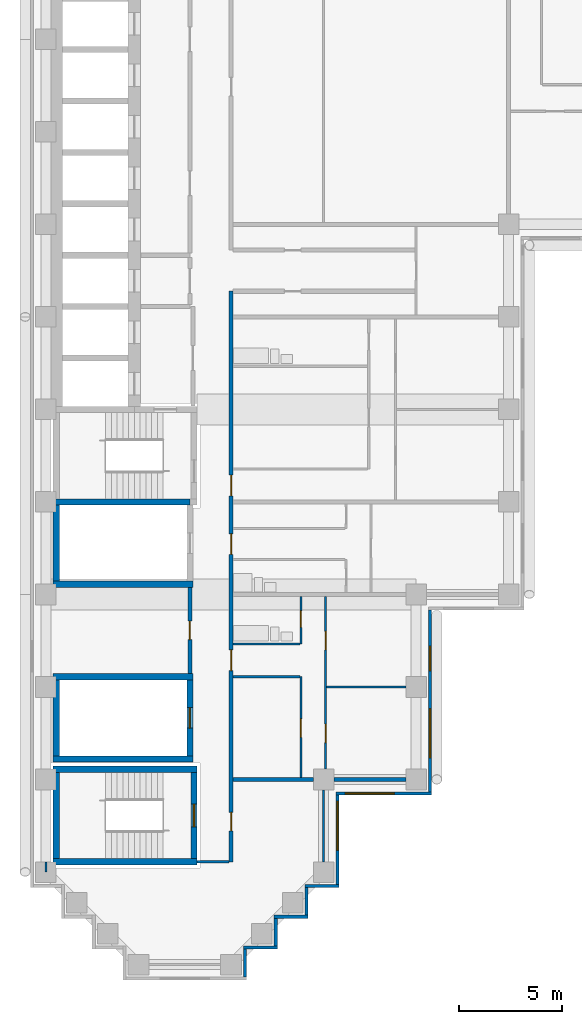
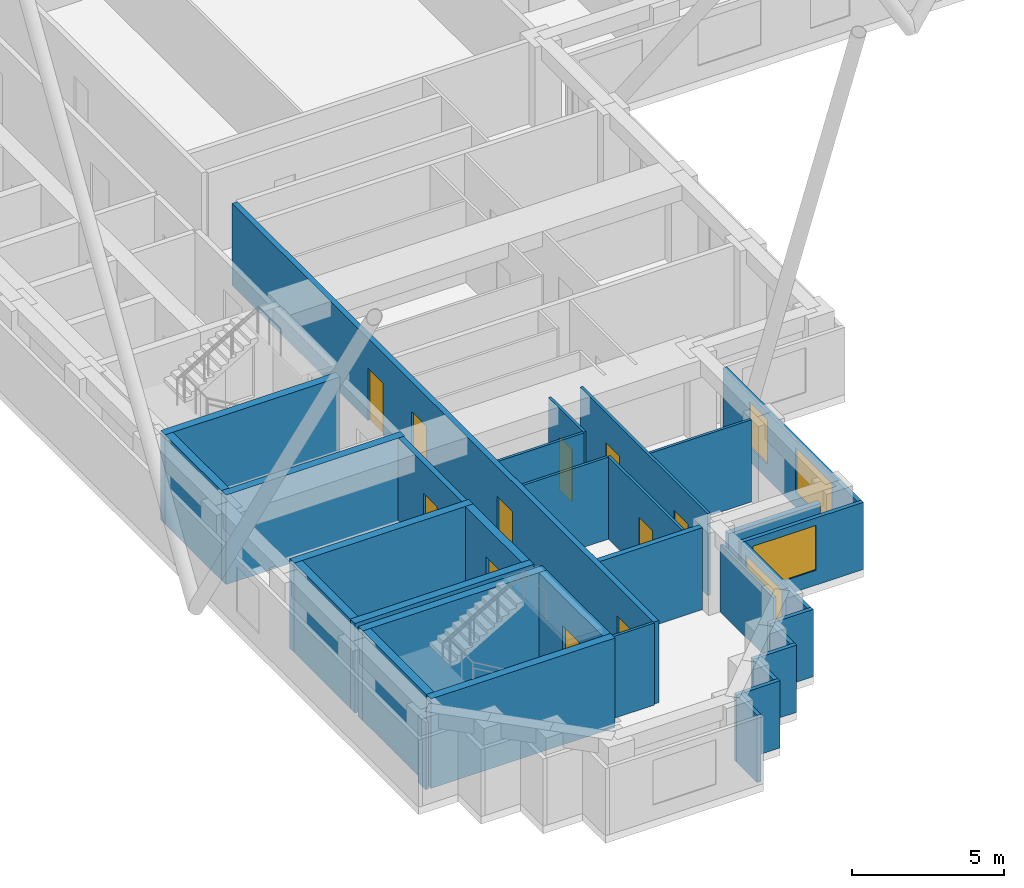
# One storey, part 3 of 13: 33 walls, 11 doors, 4 windows, 15 openings.
"""IFC4 building model written with IfcOpenShell, lengths in metres."""

from ifc_helpers import new_model, si_unit, direction, frame, frame_2d, origin, place, context, subcontext, project, spatial, rectangle, extrude, material, layer, layer_set, type_object, element, fill, save


model = new_model("IFC4")

# Units and contexts
model_context = context("Model", 3, precision=1e-05, world=origin(), true_north=direction((0.0, 1.0)))
body_context = subcontext(model_context, "Body", "Model", "MODEL_VIEW")
ifc_project = project(units=[si_unit("LENGTHUNIT", "METRE"), si_unit("AREAUNIT", "SQUARE_METRE"), si_unit("VOLUMEUNIT", "CUBIC_METRE"), si_unit("PLANEANGLEUNIT", "RADIAN"), si_unit("MASSUNIT", "GRAM", prefix="KILO")], contexts=[model_context])

# Site, building, storey
site_placement = place(None, origin())
site = spatial("IfcSite", under=ifc_project, at=site_placement, CompositionType="ELEMENT")
building_placement = place(site_placement, origin())
building = spatial("IfcBuilding", under=site, at=building_placement, Name="Firuza Court", CompositionType="ELEMENT")
storey_placement = place(building_placement, frame((0.0, 0.0, 119.60009765625)))
storey = spatial("IfcBuildingStorey", under=building, at=storey_placement, Name="L29", CompositionType="ELEMENT", Elevation=119.60009765625)

# Walls
ifc_material_1 = material(Name="Moisture-resistant gypsum board partition")
ifc_layer_1 = layer(ifc_material_1, 0.10009765625)
ifc_layer_set_1 = layer_set([ifc_layer_1], Name="Moisture-resistant gypsum board partition")
wall_type_1 = type_object("IfcWallType", Name="Bathroom partition 100", PredefinedType="PLUMBINGWALL", material=ifc_layer_set_1)
wall_1_placement = place(storey_placement, frame((9.10009765625, 15.60009765625, 0.0), z_axis=(0.0, 0.0, 1.0), x_axis=(1.0, 0.0, 0.0)))
element("IfcWall", 1, at=wall_1_placement, inside=storey, type_object=wall_type_1, Name="Bathroom partition 100 L29", PredefinedType="PLUMBINGWALL", context=body_context, shape_type="SweptSolid", body=[
    extrude(rectangle(XDim=3.25, YDim=0.10009765625, at=frame_2d((1.625, 0.0))), origin(), (0.0, 0.0, 1.0), 3.2998046875),
])
ifc_material_2 = material(Name="Concrete C60/75", Category="concrete")
ifc_layer_2 = layer(ifc_material_2, 0.300048828125)
ifc_layer_set_2 = layer_set([ifc_layer_2], Name="Concrete C60/75")
wall_type_2 = type_object("IfcWallType", Name="Core wall 300 C60/75", PredefinedType="SHEAR", material=ifc_layer_set_2)
for number, where, z_axis, x_axis, name in (
    (2, (0.35009765625, 5.0, -0.300048828125), (0.0, 0.0, 1.0), (1.0, 0.0, 0.0), "Core wall stair L29"),
    (3, (0.35009765625, 9.5, -0.300048828125), (0.0, 0.0, 1.0), (1.0, 0.0, 0.0), "Core wall stair L29"),
):
    element("IfcWall", number, at=place(storey_placement, frame(where, z_axis=z_axis, x_axis=x_axis)), inside=storey, type_object=wall_type_2, Name=name, PredefinedType="SHEAR", context=body_context, shape_type="SweptSolid", body=[
        extrude(rectangle(XDim=7.0, YDim=0.300048828125, at=frame_2d((3.5, 0.0))), origin(), (0.0, 0.0, 1.0), 3.599853515625),
    ])
for number, where, z_axis, x_axis, name in (
    (4, (0.35009765625, 10.0, -0.300048828125), (0.0, 0.0, 1.0), (1.0, 0.0, 0.0), "Core wall riser L29"),
    (5, (0.35009765625, 14.0, -0.300048828125), (0.0, 0.0, 1.0), (1.0, 0.0, 0.0), "Core wall riser L29"),
    (6, (0.35009765625, 18.5, -0.300048828125), (0.0, 0.0, 1.0), (1.0, 0.0, 0.0), "Core wall riser L29"),
):
    element("IfcWall", number, at=place(storey_placement, frame(where, z_axis=z_axis, x_axis=x_axis)), inside=storey, type_object=wall_type_2, Name=name, PredefinedType="SHEAR", context=body_context, shape_type="SweptSolid", body=[
        extrude(rectangle(XDim=6.7998046875, YDim=0.300048828125, at=frame_2d((3.39990234375, 0.0))), origin(), (0.0, 0.0, 1.0), 3.599853515625),
    ])
wall_2_placement = place(storey_placement, frame((0.35009765625, 22.5, -0.300048828125), z_axis=(0.0, 0.0, 1.0), x_axis=(1.0, 0.0, 0.0)))
element("IfcWall", 7, at=wall_2_placement, inside=storey, type_object=wall_type_2, Name="Core wall riser L29", PredefinedType="SHEAR", context=body_context, shape_type="SweptSolid", body=[
    extrude(rectangle(XDim=6.64990234375, YDim=0.300048828125, at=frame_2d((3.324951171875, 0.0))), origin(), (0.0, 0.0, 1.0), 3.599853515625),
])
wall_3_placement = place(storey_placement, frame((0.5, 5.14990234375, -0.300048828125), z_axis=(0.0, 0.0, 1.0), x_axis=(0.0, 1.0, 0.0)))
element("IfcWall", 8, at=wall_3_placement, inside=storey, type_object=wall_type_2, Name="Core wall stair L29", PredefinedType="SHEAR", context=body_context, shape_type="SweptSolid", body=[
    extrude(rectangle(XDim=4.2001953125, YDim=0.300048828125, at=frame_2d((2.10009765625, 0.0))), origin(), (0.0, 0.0, 1.0), 3.599853515625),
])
for number, where, z_axis, x_axis, name in (
    (9, (0.5, 10.14990234375, -0.300048828125), (0.0, 0.0, 1.0), (0.0, 1.0, 0.0), "Core wall riser L29"),
    (10, (0.5, 18.64990234375, -0.300048828125), (0.0, 0.0, 1.0), (0.0, 1.0, 0.0), "Core wall riser L29"),
):
    element("IfcWall", number, at=place(storey_placement, frame(where, z_axis=z_axis, x_axis=x_axis)), inside=storey, type_object=wall_type_2, Name=name, PredefinedType="SHEAR", context=body_context, shape_type="SweptSolid", body=[
        extrude(rectangle(XDim=3.7001953125, YDim=0.300048828125, at=frame_2d((1.85009765625, 0.0))), origin(), (0.0, 0.0, 1.0), 3.599853515625),
    ])

# Wall, opening, door
wall_4_placement = place(storey_placement, frame((7.0, 10.14990234375, -0.300048828125), z_axis=(0.0, 0.0, 1.0), x_axis=(0.0, 1.0, 0.0)))
wall_4 = element("IfcWall", 11, at=wall_4_placement, inside=storey, type_object=wall_type_2, Name="Core wall riser L29", PredefinedType="SHEAR", context=body_context, shape_type="SweptSolid", body=[
    extrude(rectangle(XDim=3.7001953125, YDim=0.300048828125, at=frame_2d((1.85009765625, 0.0))), origin(), (0.0, 0.0, 1.0), 3.599853515625),
])
opening_1_placement = place(wall_4_placement, frame((1.35009765625, 0.0, 0.300048828125)))
opening_1 = element("IfcOpeningElement", 12, at=opening_1_placement, cuts=wall_4, Name="Opening D29011", PredefinedType="OPENING", context=body_context, shape_type="SweptSolid", body=[
    extrude(rectangle(XDim=1.0, YDim=2.10009765625, at=frame_2d((0.5, 1.050048828125))), frame((0.0, 0.162109375, 0.0), z_axis=(0.0, -1.0, 0.0), x_axis=(1.0, 0.0, 0.0)), (0.0, 0.0, 1.0), 0.323974609375),
])
ifc_material_3 = material(Name="Timber door leaf in hardwood frame", Category="wood")
door_type_1 = type_object("IfcDoorType", Name="Riser door 1000", OperationType="SINGLE_SWING_LEFT", PredefinedType="DOOR", material=ifc_material_3)
door_1_placement = place(opening_1_placement, origin())
door_1 = element("IfcDoor", 13, at=door_1_placement, inside=storey, type_object=door_type_1, Name="Riser door R4", OperationType="SINGLE_SWING_LEFT", OverallHeight=2.10009765625, OverallWidth=1.0, PredefinedType="DOOR", context=body_context, shape_type="SweptSolid", body=[
    extrude(rectangle(XDim=1.0, YDim=2.10009765625, at=frame_2d((0.5, 1.050048828125))), frame((0.0, 0.02490234375, 0.0), z_axis=(0.0, -1.0, 0.0), x_axis=(1.0, 0.0, 0.0)), (0.0, 0.0, 1.0), 0.050048828125),
])
fill(opening_1, door_1)

wall_5_placement = place(storey_placement, frame((7.199951171875, 5.14990234375, -0.300048828125), z_axis=(0.0, 0.0, 1.0), x_axis=(0.0, 1.0, 0.0)))
wall_5 = element("IfcWall", 14, at=wall_5_placement, inside=storey, type_object=wall_type_2, Name="Core wall stair L29", PredefinedType="SHEAR", context=body_context, shape_type="SweptSolid", body=[
    extrude(rectangle(XDim=4.2001953125, YDim=0.300048828125, at=frame_2d((2.10009765625, 0.0))), origin(), (0.0, 0.0, 1.0), 3.599853515625),
])
opening_2_placement = place(wall_5_placement, frame((1.550048828125, 0.0, 0.300048828125)))
opening_2 = element("IfcOpeningElement", 15, at=opening_2_placement, cuts=wall_5, Name="Opening D29017", PredefinedType="OPENING", context=body_context, shape_type="SweptSolid", body=[
    extrude(rectangle(XDim=1.10009765625, YDim=2.10009765625, at=frame_2d((0.550048828125, 1.050048828125))), frame((0.0, 0.162109375, 0.0), z_axis=(0.0, -1.0, 0.0), x_axis=(1.0, 0.0, 0.0)), (0.0, 0.0, 1.0), 0.323974609375),
])
ifc_material_4 = material(Name="Timber door leaf in hardwood frame", Category="wood")
door_type_2 = type_object("IfcDoorType", Name="Stair door 1100", OperationType="SINGLE_SWING_LEFT", PredefinedType="DOOR", material=ifc_material_4)
door_2_placement = place(opening_2_placement, origin())
door_2 = element("IfcDoor", 16, at=door_2_placement, inside=storey, type_object=door_type_2, Name="Stair door S5", OperationType="SINGLE_SWING_LEFT", OverallHeight=2.10009765625, OverallWidth=1.10009765625, PredefinedType="DOOR", context=body_context, shape_type="SweptSolid", body=[
    extrude(rectangle(XDim=1.10009765625, YDim=2.10009765625, at=frame_2d((0.550048828125, 1.050048828125))), frame((0.0, 0.02490234375, 0.0), z_axis=(0.0, -1.0, 0.0), x_axis=(1.0, 0.0, 0.0)), (0.0, 0.0, 1.0), 0.050048828125),
])
fill(opening_2, door_2)

# Wall, openings, doors
ifc_material_5 = material(Name="Blockwork, plastered both sides", Category="masonry")
ifc_layer_3 = layer(ifc_material_5, 0.199951171875)
ifc_layer_set_3 = layer_set([ifc_layer_3], Name="Blockwork, plastered both sides")
wall_type_3 = type_object("IfcWallType", Name="Corridor wall 200", PredefinedType="PARTITIONING", material=ifc_layer_set_3)
wall_6_placement = place(storey_placement, frame((9.0, 5.0, 0.0), z_axis=(0.0, 0.0, 1.0), x_axis=(0.0, 1.0, 0.0)))
wall_6 = element("IfcWall", 17, at=wall_6_placement, inside=storey, type_object=wall_type_3, Name="Corridor wall 200 L29", PredefinedType="PARTITIONING", context=body_context, shape_type="SweptSolid", body=[
    extrude(rectangle(XDim=27.75, YDim=0.199951171875, at=frame_2d((13.875, 0.0))), origin(), (0.0, 0.0, 1.0), 3.2998046875),
])
opening_3_placement = place(wall_6_placement, frame((17.800048828125, 0.0, 0.0)))
opening_3 = element("IfcOpeningElement", 18, at=opening_3_placement, cuts=wall_6, Name="Opening D29018", PredefinedType="OPENING", context=body_context, shape_type="SweptSolid", body=[
    extrude(rectangle(XDim=1.0, YDim=2.10009765625, at=frame_2d((0.5, 1.050048828125))), frame((0.0, 0.11181640625, 0.0), z_axis=(0.0, -1.0, 0.0), x_axis=(1.0, 0.0, 0.0)), (0.0, 0.0, 1.0), 0.223876953125),
])
opening_4_placement = place(wall_6_placement, frame((14.949951171875, 0.0, 0.0)))
opening_4 = element("IfcOpeningElement", 19, at=opening_4_placement, cuts=wall_6, Name="Opening D29019", PredefinedType="OPENING", context=body_context, shape_type="SweptSolid", body=[
    extrude(rectangle(XDim=1.0, YDim=2.10009765625, at=frame_2d((0.5, 1.050048828125))), frame((0.0, 0.11181640625, 0.0), z_axis=(0.0, -1.0, 0.0), x_axis=(1.0, 0.0, 0.0)), (0.0, 0.0, 1.0), 0.223876953125),
])
opening_5_placement = place(wall_6_placement, frame((9.300048828125, 0.0, 0.0)))
opening_5 = element("IfcOpeningElement", 20, at=opening_5_placement, cuts=wall_6, Name="Opening D29020", PredefinedType="OPENING", context=body_context, shape_type="SweptSolid", body=[
    extrude(rectangle(XDim=1.0, YDim=2.10009765625, at=frame_2d((0.5, 1.050048828125))), frame((0.0, 0.11181640625, 0.0), z_axis=(0.0, -1.0, 0.0), x_axis=(1.0, 0.0, 0.0)), (0.0, 0.0, 1.0), 0.223876953125),
])
opening_6_placement = place(wall_6_placement, frame((1.5, 0.0, 0.0)))
opening_6 = element("IfcOpeningElement", 21, at=opening_6_placement, cuts=wall_6, Name="Opening D29021", PredefinedType="OPENING", context=body_context, shape_type="SweptSolid", body=[
    extrude(rectangle(XDim=0.89990234375, YDim=2.10009765625, at=frame_2d((0.449951171875, 1.050048828125))), frame((0.0, 0.11181640625, 0.0), z_axis=(0.0, -1.0, 0.0), x_axis=(1.0, 0.0, 0.0)), (0.0, 0.0, 1.0), 0.223876953125),
])
ifc_material_6 = material(Name="Timber door leaf in hardwood frame", Category="wood")
door_type_3 = type_object("IfcDoorType", Name="Flat entrance door 1000", OperationType="SINGLE_SWING_LEFT", PredefinedType="DOOR", material=ifc_material_6)
door_3_placement = place(opening_3_placement, origin())
door_3 = element("IfcDoor", 22, at=door_3_placement, inside=storey, type_object=door_type_3, Name="Flat entrance door", OperationType="SINGLE_SWING_LEFT", OverallHeight=2.10009765625, OverallWidth=1.0, PredefinedType="DOOR", context=body_context, shape_type="SweptSolid", body=[
    extrude(rectangle(XDim=1.0, YDim=2.10009765625, at=frame_2d((0.5, 1.050048828125))), frame((0.0, 0.02490234375, 0.0), z_axis=(0.0, -1.0, 0.0), x_axis=(1.0, 0.0, 0.0)), (0.0, 0.0, 1.0), 0.050048828125),
])
fill(opening_3, door_3)
door_4_placement = place(opening_4_placement, origin())
door_4 = element("IfcDoor", 23, at=door_4_placement, inside=storey, type_object=door_type_3, Name="Flat entrance door", OperationType="SINGLE_SWING_LEFT", OverallHeight=2.10009765625, OverallWidth=1.0, PredefinedType="DOOR", context=body_context, shape_type="SweptSolid", body=[
    extrude(rectangle(XDim=1.0, YDim=2.10009765625, at=frame_2d((0.5, 1.050048828125))), frame((0.0, 0.02490234375, 0.0), z_axis=(0.0, -1.0, 0.0), x_axis=(1.0, 0.0, 0.0)), (0.0, 0.0, 1.0), 0.050048828125),
])
fill(opening_4, door_4)
door_5_placement = place(opening_5_placement, origin())
door_5 = element("IfcDoor", 24, at=door_5_placement, inside=storey, type_object=door_type_3, Name="Flat entrance door", OperationType="SINGLE_SWING_LEFT", OverallHeight=2.10009765625, OverallWidth=1.0, PredefinedType="DOOR", context=body_context, shape_type="SweptSolid", body=[
    extrude(rectangle(XDim=1.0, YDim=2.10009765625, at=frame_2d((0.5, 1.050048828125))), frame((0.0, 0.02490234375, 0.0), z_axis=(0.0, -1.0, 0.0), x_axis=(1.0, 0.0, 0.0)), (0.0, 0.0, 1.0), 0.050048828125),
])
fill(opening_5, door_5)
ifc_material_7 = material(Name="Timber door leaf in hardwood frame", Category="wood")
door_type_4 = type_object("IfcDoorType", Name="Room door 900 EI 30", OperationType="SINGLE_SWING_LEFT", PredefinedType="DOOR", material=ifc_material_7)
door_6_placement = place(opening_6_placement, origin())
door_6 = element("IfcDoor", 25, at=door_6_placement, inside=storey, type_object=door_type_4, Name="Sky lounge door", OperationType="SINGLE_SWING_LEFT", OverallHeight=2.10009765625, OverallWidth=0.89990234375, PredefinedType="DOOR", context=body_context, shape_type="SweptSolid", body=[
    extrude(rectangle(XDim=0.89990234375, YDim=2.10009765625, at=frame_2d((0.449951171875, 1.050048828125))), frame((0.0, 0.02490234375, 0.0), z_axis=(0.0, -1.0, 0.0), x_axis=(1.0, 0.0, 0.0)), (0.0, 0.0, 1.0), 0.050048828125),
])
fill(opening_6, door_6)

# Wall, opening, door
wall_7_placement = place(storey_placement, frame((7.0, 14.14990234375, 0.0), z_axis=(0.0, 0.0, 1.0), x_axis=(0.0, 1.0, 0.0)))
wall_7 = element("IfcWall", 26, at=wall_7_placement, inside=storey, type_object=wall_type_3, Name="Corridor wall 200 L29", PredefinedType="PARTITIONING", context=body_context, shape_type="SweptSolid", body=[
    extrude(rectangle(XDim=4.2001953125, YDim=0.199951171875, at=frame_2d((2.10009765625, 0.0))), origin(), (0.0, 0.0, 1.0), 3.2998046875),
])
opening_7_placement = place(wall_7_placement, frame((1.64990234375, 0.0, 0.0)))
opening_7 = element("IfcOpeningElement", 27, at=opening_7_placement, cuts=wall_7, Name="Opening D29025", PredefinedType="OPENING", context=body_context, shape_type="SweptSolid", body=[
    extrude(rectangle(XDim=0.89990234375, YDim=2.10009765625, at=frame_2d((0.449951171875, 1.050048828125))), frame((0.0, 0.11181640625, 0.0), z_axis=(0.0, -1.0, 0.0), x_axis=(1.0, 0.0, 0.0)), (0.0, 0.0, 1.0), 0.223876953125),
])
door_7_placement = place(opening_7_placement, origin())
door_7 = element("IfcDoor", 28, at=door_7_placement, inside=storey, type_object=door_type_4, Name="Meeting room door", OperationType="SINGLE_SWING_LEFT", OverallHeight=2.10009765625, OverallWidth=0.89990234375, PredefinedType="DOOR", context=body_context, shape_type="SweptSolid", body=[
    extrude(rectangle(XDim=0.89990234375, YDim=2.10009765625, at=frame_2d((0.449951171875, 1.050048828125))), frame((0.0, 0.02490234375, 0.0), z_axis=(0.0, -1.0, 0.0), x_axis=(1.0, 0.0, 0.0)), (0.0, 0.0, 1.0), 0.050048828125),
])
fill(opening_7, door_7)

# Walls
ifc_material_8 = material(Name="Timber stud partition, plasterboard both sides", Category="wood")
ifc_layer_4 = layer(ifc_material_8, 0.10009765625)
ifc_layer_set_4 = layer_set([ifc_layer_4], Name="Timber stud partition, plasterboard both sides")
wall_type_4 = type_object("IfcWallType", Name="Partition wall 100", PredefinedType="PARTITIONING", material=ifc_layer_set_4)
wall_8_placement = place(storey_placement, frame((0.0, 4.5, 0.0), z_axis=(0.0, 0.0, 1.0), x_axis=(0.0, 1.0, 0.0)))
element("IfcWall", 29, at=wall_8_placement, inside=storey, type_object=wall_type_4, Name="Partition wall 100 L29", PredefinedType="PARTITIONING", context=body_context, shape_type="SweptSolid", body=[
    extrude(rectangle(XDim=0.5, YDim=0.10009765625, at=frame_2d((0.25, 0.0))), origin(), (0.0, 0.0, 1.0), 2.699951171875),
])
wall_9_placement = place(storey_placement, frame((7.34912109375, 5.0, 0.0), z_axis=(0.0, 0.0, 1.0), x_axis=(1.0, 0.0, 0.0)))
element("IfcWall", 30, at=wall_9_placement, inside=storey, type_object=wall_type_4, Name="Partition wall 100 L29", PredefinedType="PARTITIONING", context=body_context, shape_type="SweptSolid", body=[
    extrude(rectangle(XDim=1.55078125, YDim=0.10009765625, at=frame_2d((0.775390625, 0.0))), origin(), (0.0, 0.0, 1.0), 3.2998046875),
])
wall_10_placement = place(storey_placement, frame((13.5, 5.0, 0.0), z_axis=(0.0, 0.0, 1.0), x_axis=(0.0, 1.0, 0.0)))
element("IfcWall", 31, at=wall_10_placement, inside=storey, type_object=wall_type_4, Name="Partition wall 100 L29", PredefinedType="PARTITIONING", context=body_context, shape_type="SweptSolid", body=[
    extrude(rectangle(XDim=3.5, YDim=0.10009765625, at=frame_2d((1.75, 0.0))), origin(), (0.0, 0.0, 1.0), 2.699951171875),
])

# Wall, opening, door
wall_11_placement = place(storey_placement, frame((12.39990234375, 9.10009765625, 0.0), z_axis=(0.0, 0.0, 1.0), x_axis=(0.0, 1.0, 0.0)))
wall_11 = element("IfcWall", 32, at=wall_11_placement, inside=storey, type_object=wall_type_4, Name="Partition wall 100 L29", PredefinedType="PARTITIONING", context=body_context, shape_type="SweptSolid", body=[
    extrude(rectangle(XDim=4.89990234375, YDim=0.10009765625, at=frame_2d((2.449951171875, 0.0))), origin(), (0.0, 0.0, 1.0), 3.2998046875),
])
opening_8_placement = place(wall_11_placement, frame((1.949951171875, 0.0, 0.0)))
opening_8 = element("IfcOpeningElement", 33, at=opening_8_placement, cuts=wall_11, Name="Opening D29022", PredefinedType="OPENING", context=body_context, shape_type="SweptSolid", body=[
    extrude(rectangle(XDim=0.89990234375, YDim=2.10009765625, at=frame_2d((0.449951171875, 1.050048828125))), frame((0.0, 0.06201171875, 0.0), z_axis=(0.0, -1.0, 0.0), x_axis=(1.0, 0.0, 0.0)), (0.0, 0.0, 1.0), 0.1240234375),
])
ifc_material_9 = material(Name="Timber door leaf in hardwood frame", Category="wood")
door_type_5 = type_object("IfcDoorType", Name="Room door 900", OperationType="SINGLE_SWING_LEFT", PredefinedType="DOOR", material=ifc_material_9)
door_8_placement = place(opening_8_placement, origin())
door_8 = element("IfcDoor", 34, at=door_8_placement, inside=storey, type_object=door_type_5, Name="Kitchen door", OperationType="SINGLE_SWING_LEFT", OverallHeight=2.10009765625, OverallWidth=0.89990234375, PredefinedType="DOOR", context=body_context, shape_type="SweptSolid", body=[
    extrude(rectangle(XDim=0.89990234375, YDim=2.10009765625, at=frame_2d((0.449951171875, 1.050048828125))), frame((0.0, 0.02490234375, 0.0), z_axis=(0.0, -1.0, 0.0), x_axis=(1.0, 0.0, 0.0)), (0.0, 0.0, 1.0), 0.050048828125),
])
fill(opening_8, door_8)

# Wall, openings, doors
wall_12_placement = place(storey_placement, frame((13.60009765625, 9.5, 0.0), z_axis=(0.0, 0.0, 1.0), x_axis=(0.0, 1.0, 0.0)))
wall_12 = element("IfcWall", 35, at=wall_12_placement, inside=storey, type_object=wall_type_4, Name="Partition wall 100 L29", PredefinedType="PARTITIONING", context=body_context, shape_type="SweptSolid", body=[
    extrude(rectangle(XDim=8.39990234375, YDim=0.10009765625, at=frame_2d((4.199951171875, 0.0))), origin(), (0.0, 0.0, 1.0), 3.2998046875),
])
opening_9_placement = place(wall_12_placement, frame((1.300048828125, 0.0, 0.0)))
opening_9 = element("IfcOpeningElement", 36, at=opening_9_placement, cuts=wall_12, Name="Opening D29023", PredefinedType="OPENING", context=body_context, shape_type="SweptSolid", body=[
    extrude(rectangle(XDim=0.89990234375, YDim=2.10009765625, at=frame_2d((0.449951171875, 1.050048828125))), frame((0.0, 0.06201171875, 0.0), z_axis=(0.0, -1.0, 0.0), x_axis=(1.0, 0.0, 0.0)), (0.0, 0.0, 1.0), 0.1240234375),
])
opening_10_placement = place(wall_12_placement, frame((5.800048828125, 0.0, 0.0)))
opening_10 = element("IfcOpeningElement", 37, at=opening_10_placement, cuts=wall_12, Name="Opening D29024", PredefinedType="OPENING", context=body_context, shape_type="SweptSolid", body=[
    extrude(rectangle(XDim=0.89990234375, YDim=2.10009765625, at=frame_2d((0.449951171875, 1.050048828125))), frame((0.0, 0.06201171875, 0.0), z_axis=(0.0, -1.0, 0.0), x_axis=(1.0, 0.0, 0.0)), (0.0, 0.0, 1.0), 0.1240234375),
])
door_9_placement = place(opening_9_placement, frame((0.89990234375, 0.0, 0.0), z_axis=(0.0, 0.0, 1.0), x_axis=(-1.0, 0.0, 0.0)))
door_9 = element("IfcDoor", 38, at=door_9_placement, inside=storey, type_object=door_type_5, Name="Living room door", OperationType="SINGLE_SWING_RIGHT", OverallHeight=2.10009765625, OverallWidth=0.89990234375, PredefinedType="DOOR", context=body_context, shape_type="SweptSolid", body=[
    extrude(rectangle(XDim=0.89990234375, YDim=2.10009765625, at=frame_2d((0.449951171875, 1.050048828125))), frame((0.0, 0.02490234375, 0.0), z_axis=(0.0, -1.0, 0.0), x_axis=(1.0, 0.0, 0.0)), (0.0, 0.0, 1.0), 0.050048828125),
])
fill(opening_9, door_9)
door_10_placement = place(opening_10_placement, frame((0.89990234375, 0.0, 0.0), z_axis=(0.0, 0.0, 1.0), x_axis=(-1.0, 0.0, 0.0)))
door_10 = element("IfcDoor", 39, at=door_10_placement, inside=storey, type_object=door_type_5, Name="Bedroom door", OperationType="SINGLE_SWING_RIGHT", OverallHeight=2.10009765625, OverallWidth=0.89990234375, PredefinedType="DOOR", context=body_context, shape_type="SweptSolid", body=[
    extrude(rectangle(XDim=0.89990234375, YDim=2.10009765625, at=frame_2d((0.449951171875, 1.050048828125))), frame((0.0, 0.02490234375, 0.0), z_axis=(0.0, -1.0, 0.0), x_axis=(1.0, 0.0, 0.0)), (0.0, 0.0, 1.0), 0.050048828125),
])
fill(opening_10, door_10)

# Walls
wall_13_placement = place(storey_placement, frame((13.64990234375, 13.5, 0.0), z_axis=(0.0, 0.0, 1.0), x_axis=(1.0, 0.0, 0.0)))
element("IfcWall", 40, at=wall_13_placement, inside=storey, type_object=wall_type_4, Name="Partition wall 100 L29", PredefinedType="PARTITIONING", context=body_context, shape_type="SweptSolid", body=[
    extrude(rectangle(XDim=3.85009765625, YDim=0.10009765625, at=frame_2d((1.925048828125, 0.0))), origin(), (0.0, 0.0, 1.0), 3.2998046875),
])
wall_14_placement = place(storey_placement, frame((9.10009765625, 14.0, 0.0), z_axis=(0.0, 0.0, 1.0), x_axis=(1.0, 0.0, 0.0)))
element("IfcWall", 41, at=wall_14_placement, inside=storey, type_object=wall_type_4, Name="Partition wall 100 L29", PredefinedType="PARTITIONING", context=body_context, shape_type="SweptSolid", body=[
    extrude(rectangle(XDim=3.25, YDim=0.10009765625, at=frame_2d((1.625, 0.0))), origin(), (0.0, 0.0, 1.0), 3.2998046875),
])

# Wall, opening, door
wall_15_placement = place(storey_placement, frame((12.39990234375, 15.60009765625, 0.0), z_axis=(0.0, 0.0, 1.0), x_axis=(0.0, 1.0, 0.0)))
wall_15 = element("IfcWall", 42, at=wall_15_placement, inside=storey, type_object=wall_type_4, Name="Partition wall 100 L29", PredefinedType="PARTITIONING", context=body_context, shape_type="SweptSolid", body=[
    extrude(rectangle(XDim=2.2998046875, YDim=0.10009765625, at=frame_2d((1.14990234375, 0.0))), origin(), (0.0, 0.0, 1.0), 3.2998046875),
])
opening_11_placement = place(wall_15_placement, frame((0.800048828125, 0.0, 0.0)))
opening_11 = element("IfcOpeningElement", 43, at=opening_11_placement, cuts=wall_15, Name="Opening D29026", PredefinedType="OPENING", context=body_context, shape_type="SweptSolid", body=[
    extrude(rectangle(XDim=0.800048828125, YDim=2.10009765625, at=frame_2d((0.39990234375, 1.050048828125))), frame((0.0, 0.06201171875, 0.0), z_axis=(0.0, -1.0, 0.0), x_axis=(1.0, 0.0, 0.0)), (0.0, 0.0, 1.0), 0.1240234375),
])
ifc_material_10 = material(Name="Timber door leaf in hardwood frame", Category="wood")
door_type_6 = type_object("IfcDoorType", Name="Bathroom door 800", OperationType="SINGLE_SWING_LEFT", PredefinedType="DOOR", material=ifc_material_10)
door_11_placement = place(opening_11_placement, origin())
door_11 = element("IfcDoor", 44, at=door_11_placement, inside=storey, type_object=door_type_6, Name="Bathroom door", OperationType="SINGLE_SWING_LEFT", OverallHeight=2.10009765625, OverallWidth=0.800048828125, PredefinedType="DOOR", context=body_context, shape_type="SweptSolid", body=[
    extrude(rectangle(XDim=0.800048828125, YDim=2.10009765625, at=frame_2d((0.39990234375, 1.050048828125))), frame((0.0, 0.02490234375, 0.0), z_axis=(0.0, -1.0, 0.0), x_axis=(1.0, 0.0, 0.0)), (0.0, 0.0, 1.0), 0.050048828125),
])
fill(opening_11, door_11)

# Walls
ifc_layer_5 = layer(ifc_material_5, 0.199951171875)
ifc_layer_set_5 = layer_set([ifc_layer_5], Name="Blockwork, plastered both sides")
wall_type_5 = type_object("IfcWallType", Name="Party wall 200", PredefinedType="PARTITIONING", material=ifc_layer_set_5)
wall_16_placement = place(storey_placement, frame((9.10009765625, 9.0, 0.0), z_axis=(0.0, 0.0, 1.0), x_axis=(1.0, 0.0, 0.0)))
element("IfcWall", 45, at=wall_16_placement, inside=storey, type_object=wall_type_5, Name="Party wall 200 L29", PredefinedType="PARTITIONING", context=body_context, shape_type="SweptSolid", body=[
    extrude(rectangle(XDim=3.89990234375, YDim=0.199951171875, at=frame_2d((1.949951171875, 0.0))), origin(), (0.0, 0.0, 1.0), 3.2998046875),
])
wall_17_placement = place(storey_placement, frame((14.0, 9.0, 0.0), z_axis=(0.0, 0.0, 1.0), x_axis=(1.0, 0.0, 0.0)))
element("IfcWall", 46, at=wall_17_placement, inside=storey, type_object=wall_type_5, Name="Party wall 200 L29", PredefinedType="PARTITIONING", context=body_context, shape_type="SweptSolid", body=[
    extrude(rectangle(XDim=3.5, YDim=0.199951171875, at=frame_2d((1.75, 0.0))), origin(), (0.0, 0.0, 1.0), 2.699951171875),
])
ifc_material_11 = material(Name="Ceramic tile", Category="ceramic")
ifc_layer_6 = layer(ifc_material_11, 0.02001953125)
ifc_material_12 = material(Name="Mineral wool insulation", Category="insulation")
ifc_layer_7 = layer(ifc_material_12, 0.050048828125)
ifc_material_13 = material(Name="Concrete C40/50 precast", Category="concrete")
ifc_layer_8 = layer(ifc_material_13, 0.080078125)
ifc_layer_set_6 = layer_set([ifc_layer_6, ifc_layer_7, ifc_layer_8], Name="Concrete C40/50 precast")
wall_type_6 = type_object("IfcWallType", Name="Precast cladding wall with turquoise TILE PANEL face 150", PredefinedType="STANDARD", material=ifc_layer_set_6)
wall_18_placement = place(storey_placement, frame((9.675048828125, -0.60009765625, 0.0), z_axis=(0.0, 0.0, 1.0), x_axis=(0.0, 1.0, 0.0)))
element("IfcWall", 47, at=wall_18_placement, inside=storey, type_object=wall_type_6, Name="Facade wall L29 E", PredefinedType="STANDARD", context=body_context, shape_type="SweptSolid", body=[
    extrude(rectangle(XDim=1.35009765625, YDim=0.14990234375, at=frame_2d((0.675048828125, 0.0))), origin(), (0.0, 0.0, 1.0), 2.699951171875),
])
wall_19_placement = place(storey_placement, frame((9.60009765625, 0.824951171875, 0.0), z_axis=(0.0, 0.0, 1.0), x_axis=(1.0, 0.0, 0.0)))
element("IfcWall", 48, at=wall_19_placement, inside=storey, type_object=wall_type_6, Name="Facade wall L29 S", PredefinedType="STANDARD", context=body_context, shape_type="SweptSolid", body=[
    extrude(rectangle(XDim=1.64990234375, YDim=0.14990234375, at=frame_2d((0.824951171875, 0.0))), origin(), (0.0, 0.0, 1.0), 2.699951171875),
])
wall_20_placement = place(storey_placement, frame((11.175048828125, 0.89990234375, 0.0), z_axis=(0.0, 0.0, 1.0), x_axis=(0.0, 1.0, 0.0)))
element("IfcWall", 49, at=wall_20_placement, inside=storey, type_object=wall_type_6, Name="Facade wall L29 E", PredefinedType="STANDARD", context=body_context, shape_type="SweptSolid", body=[
    extrude(rectangle(XDim=1.35009765625, YDim=0.14990234375, at=frame_2d((0.675048828125, 0.0))), origin(), (0.0, 0.0, 1.0), 2.699951171875),
])
wall_21_placement = place(storey_placement, frame((11.10009765625, 2.324951171875, 0.0), z_axis=(0.0, 0.0, 1.0), x_axis=(1.0, 0.0, 0.0)))
element("IfcWall", 50, at=wall_21_placement, inside=storey, type_object=wall_type_6, Name="Facade wall L29 S", PredefinedType="STANDARD", context=body_context, shape_type="SweptSolid", body=[
    extrude(rectangle(XDim=1.64990234375, YDim=0.14990234375, at=frame_2d((0.824951171875, 0.0))), origin(), (0.0, 0.0, 1.0), 2.699951171875),
])
wall_22_placement = place(storey_placement, frame((12.675048828125, 2.39990234375, 0.0), z_axis=(0.0, 0.0, 1.0), x_axis=(0.0, 1.0, 0.0)))
element("IfcWall", 51, at=wall_22_placement, inside=storey, type_object=wall_type_6, Name="Facade wall L29 E", PredefinedType="STANDARD", context=body_context, shape_type="SweptSolid", body=[
    extrude(rectangle(XDim=1.35009765625, YDim=0.14990234375, at=frame_2d((0.675048828125, 0.0))), origin(), (0.0, 0.0, 1.0), 2.699951171875),
])
wall_23_placement = place(storey_placement, frame((12.60009765625, 3.824951171875, 0.0), z_axis=(0.0, 0.0, 1.0), x_axis=(1.0, 0.0, 0.0)))
element("IfcWall", 52, at=wall_23_placement, inside=storey, type_object=wall_type_6, Name="Facade wall L29 S", PredefinedType="STANDARD", context=body_context, shape_type="SweptSolid", body=[
    extrude(rectangle(XDim=1.64990234375, YDim=0.14990234375, at=frame_2d((0.824951171875, 0.0))), origin(), (0.0, 0.0, 1.0), 2.699951171875),
])

# Wall, opening, window
wall_24_placement = place(storey_placement, frame((14.175048828125, 3.89990234375, 0.0), z_axis=(0.0, 0.0, 1.0), x_axis=(0.0, 1.0, 0.0)))
wall_24 = element("IfcWall", 53, at=wall_24_placement, inside=storey, type_object=wall_type_6, Name="Facade wall L29 E", PredefinedType="STANDARD", context=body_context, shape_type="SweptSolid", body=[
    extrude(rectangle(XDim=4.35009765625, YDim=0.14990234375, at=frame_2d((2.175048828125, 0.0))), origin(), (0.0, 0.0, 1.0), 2.699951171875),
])
opening_12_placement = place(wall_24_placement, frame((1.64990234375, 0.0, 0.60009765625)))
opening_12 = element("IfcOpeningElement", 54, at=opening_12_placement, cuts=wall_24, Name="Opening W1", PredefinedType="OPENING", context=body_context, shape_type="SweptSolid", body=[
    extrude(rectangle(XDim=2.39990234375, YDim=1.800048828125, at=frame_2d((1.199951171875, 0.89990234375))), frame((0.0, 0.0869140625, 0.0), z_axis=(0.0, -1.0, 0.0), x_axis=(1.0, 0.0, 0.0)), (0.0, 0.0, 1.0), 0.173828125),
])
ifc_material_14 = material(Name="Aluminium frame, triple clear glazing", Category="aluminium")
window_type_1 = type_object("IfcWindowType", Name="Window W1 2400 x 1800", PartitioningType="SINGLE_PANEL", PredefinedType="WINDOW", material=ifc_material_14)
window_1_placement = place(opening_12_placement, origin())
window_1 = element("IfcWindow", 55, at=window_1_placement, inside=storey, type_object=window_type_1, Name="Window L29", OverallHeight=1.800048828125, OverallWidth=2.39990234375, PartitioningType="SINGLE_PANEL", PredefinedType="WINDOW", context=body_context, shape_type="SweptSolid", body=[
    extrude(rectangle(XDim=2.39990234375, YDim=1.800048828125, at=frame_2d((1.199951171875, 0.89990234375))), frame((0.0, 0.030029296875, 0.0), z_axis=(0.0, -1.0, 0.0), x_axis=(1.0, 0.0, 0.0)), (0.0, 0.0, 1.0), 0.06005859375),
])
fill(opening_12, window_1)

wall_25_placement = place(storey_placement, frame((14.10009765625, 8.324951171875, 0.0), z_axis=(0.0, 0.0, 1.0), x_axis=(1.0, 0.0, 0.0)))
wall_25 = element("IfcWall", 56, at=wall_25_placement, inside=storey, type_object=wall_type_6, Name="Facade wall L29 S", PredefinedType="STANDARD", context=body_context, shape_type="SweptSolid", body=[
    extrude(rectangle(XDim=4.64990234375, YDim=0.14990234375, at=frame_2d((2.324951171875, 0.0))), origin(), (0.0, 0.0, 1.0), 2.699951171875),
])
opening_13_placement = place(wall_25_placement, frame((0.449951171875, 0.0, 0.60009765625)))
opening_13 = element("IfcOpeningElement", 57, at=opening_13_placement, cuts=wall_25, Name="Opening W1", PredefinedType="OPENING", context=body_context, shape_type="SweptSolid", body=[
    extrude(rectangle(XDim=2.39990234375, YDim=1.800048828125, at=frame_2d((1.199951171875, 0.89990234375))), frame((0.0, 0.0869140625, 0.0), z_axis=(0.0, -1.0, 0.0), x_axis=(1.0, 0.0, 0.0)), (0.0, 0.0, 1.0), 0.173828125),
])
window_2_placement = place(opening_13_placement, origin())
window_2 = element("IfcWindow", 58, at=window_2_placement, inside=storey, type_object=window_type_1, Name="Window L29", OverallHeight=1.800048828125, OverallWidth=2.39990234375, PartitioningType="SINGLE_PANEL", PredefinedType="WINDOW", context=body_context, shape_type="SweptSolid", body=[
    extrude(rectangle(XDim=2.39990234375, YDim=1.800048828125, at=frame_2d((1.199951171875, 0.89990234375))), frame((0.0, 0.030029296875, 0.0), z_axis=(0.0, -1.0, 0.0), x_axis=(1.0, 0.0, 0.0)), (0.0, 0.0, 1.0), 0.06005859375),
])
fill(opening_13, window_2)

# Wall, openings, windows
wall_26_placement = place(storey_placement, frame((18.675048828125, 8.39990234375, 0.0), z_axis=(0.0, 0.0, 1.0), x_axis=(0.0, 1.0, 0.0)))
wall_26 = element("IfcWall", 59, at=wall_26_placement, inside=storey, type_object=wall_type_6, Name="Facade wall L29 E", PredefinedType="STANDARD", context=body_context, shape_type="SweptSolid", body=[
    extrude(rectangle(XDim=8.85009765625, YDim=0.14990234375, at=frame_2d((4.425048828125, 0.0))), origin(), (0.0, 0.0, 1.0), 2.699951171875),
])
opening_14_placement = place(wall_26_placement, frame((1.64990234375, 0.0, 0.60009765625)))
opening_14 = element("IfcOpeningElement", 60, at=opening_14_placement, cuts=wall_26, Name="Opening W1", PredefinedType="OPENING", context=body_context, shape_type="SweptSolid", body=[
    extrude(rectangle(XDim=2.39990234375, YDim=1.800048828125, at=frame_2d((1.199951171875, 0.89990234375))), frame((0.0, 0.0869140625, 0.0), z_axis=(0.0, -1.0, 0.0), x_axis=(1.0, 0.0, 0.0)), (0.0, 0.0, 1.0), 0.173828125),
])
opening_15_placement = place(wall_26_placement, frame((5.889404296875, 0.0, 0.60009765625)))
opening_15 = element("IfcOpeningElement", 61, at=opening_15_placement, cuts=wall_26, Name="Opening W8", PredefinedType="OPENING", context=body_context, shape_type="SweptSolid", body=[
    extrude(rectangle(XDim=1.199951171875, YDim=1.800048828125, at=frame_2d((0.60009765625, 0.89990234375))), frame((0.0, 0.0869140625, 0.0), z_axis=(0.0, -1.0, 0.0), x_axis=(1.0, 0.0, 0.0)), (0.0, 0.0, 1.0), 0.173828125),
])
window_3_placement = place(opening_14_placement, origin())
window_3 = element("IfcWindow", 62, at=window_3_placement, inside=storey, type_object=window_type_1, Name="Window L29", OverallHeight=1.800048828125, OverallWidth=2.39990234375, PartitioningType="SINGLE_PANEL", PredefinedType="WINDOW", context=body_context, shape_type="SweptSolid", body=[
    extrude(rectangle(XDim=2.39990234375, YDim=1.800048828125, at=frame_2d((1.199951171875, 0.89990234375))), frame((0.0, 0.030029296875, 0.0), z_axis=(0.0, -1.0, 0.0), x_axis=(1.0, 0.0, 0.0)), (0.0, 0.0, 1.0), 0.06005859375),
])
fill(opening_14, window_3)
ifc_material_15 = material(Name="Aluminium frame, triple clear glazing", Category="aluminium")
window_type_2 = type_object("IfcWindowType", Name="Window W8 1200 x 1800", PartitioningType="SINGLE_PANEL", PredefinedType="WINDOW", material=ifc_material_15)
window_4_placement = place(opening_15_placement, origin())
window_4 = element("IfcWindow", 63, at=window_4_placement, inside=storey, type_object=window_type_2, Name="Window L29", OverallHeight=1.800048828125, OverallWidth=1.199951171875, PartitioningType="SINGLE_PANEL", PredefinedType="WINDOW", context=body_context, shape_type="SweptSolid", body=[
    extrude(rectangle(XDim=1.199951171875, YDim=1.800048828125, at=frame_2d((0.60009765625, 0.89990234375))), frame((0.0, 0.030029296875, 0.0), z_axis=(0.0, -1.0, 0.0), x_axis=(1.0, 0.0, 0.0)), (0.0, 0.0, 1.0), 0.06005859375),
])
fill(opening_15, window_4)

save(model, "model.ifc")
